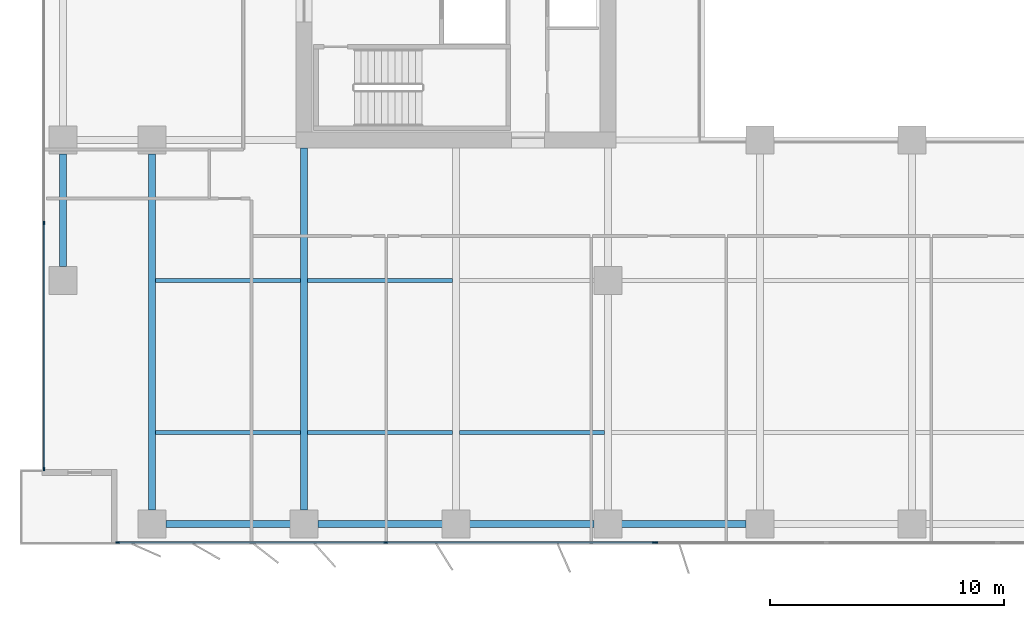
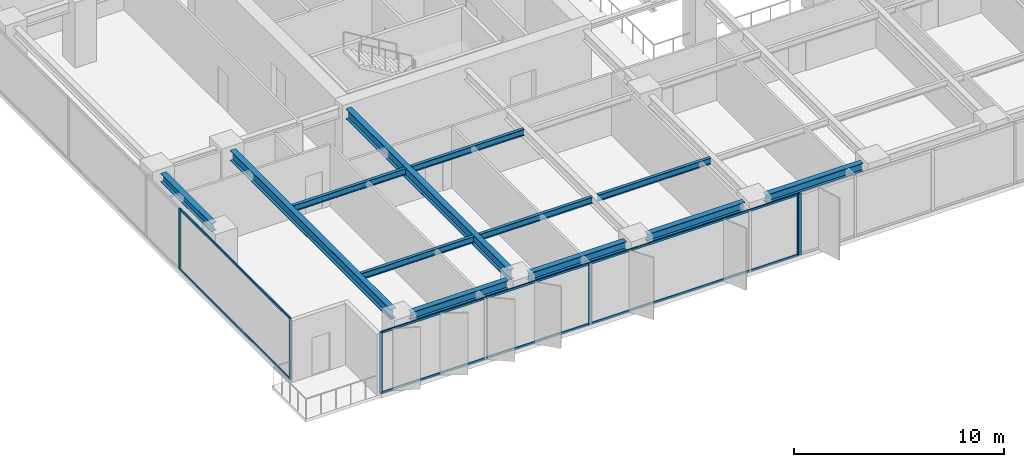
# One storey, part 2 of 20: 12 beams, 12 members, 3 elements without a shape of their own.
"""IFC4 building model written with IfcOpenShell, lengths in metres."""

from ifc_helpers import new_model, si_unit, direction, frame, origin, origin_2d, place, context, subcontext, project, spatial, rectangle, i_section, extrude, material, layer, layer_set, material_profile, profile_set, type_object, element, aggregate, save


model = new_model("IFC4")

# Units and contexts
model_context = context("Model", 3, precision=1e-05, world=origin(), true_north=direction((0.0, 1.0)))
body_context = subcontext(model_context, "Body", "Model", "MODEL_VIEW")
ifc_project = project(units=[si_unit("LENGTHUNIT", "METRE"), si_unit("AREAUNIT", "SQUARE_METRE"), si_unit("VOLUMEUNIT", "CUBIC_METRE"), si_unit("PLANEANGLEUNIT", "RADIAN"), si_unit("MASSUNIT", "GRAM", prefix="KILO")], contexts=[model_context])

# Site, building, storey
site_placement = place(None, origin())
site = spatial("IfcSite", under=ifc_project, at=site_placement, CompositionType="ELEMENT")
building_placement = place(site_placement, origin())
building = spatial("IfcBuilding", under=site, at=building_placement, Name="Putna Gate Headquarters", CompositionType="ELEMENT")
storey_placement = place(building_placement, frame((0.0, 0.0, 93.60009765625)))
storey = spatial("IfcBuildingStorey", under=building, at=storey_placement, Name="L22", CompositionType="ELEMENT", Elevation=93.60009765625)

# Beams
ifc_material_1 = material(Name="Steel S355J2", Category="steel")
ifc_material_profile_1 = material_profile(ifc_material_1, i_section(OverallWidth=0.300048828125, OverallDepth=0.60009765625, WebThickness=0.015380859375, FlangeThickness=0.030029296875, at=origin_2d()), Name="Steel S355J2")
ifc_profile_set_1 = profile_set([ifc_material_profile_1], Name="Steel S355J2")
beam_type_1 = type_object("IfcBeamType", Name="BM-GIRD-Z2-HEB600", PredefinedType="USERDEFINED", material=ifc_profile_set_1)
beam_1_placement = place(storey_placement, frame((6.5, 3.16796875, 3.264892578125), z_axis=(0.0, 1.0, 0.0), x_axis=(-1.0, 0.0, 0.0)))
element("IfcBeam", 1, at=beam_1_placement, inside=storey, type_object=beam_type_1, Name="L22 South Primary Girder X6", ObjectType="GIRDER", PredefinedType="USERDEFINED", context=body_context, shape_type="SweptSolid", body=[
    extrude(i_section(OverallWidth=0.300048828125, OverallDepth=0.60009765625, WebThickness=0.015380859375, FlangeThickness=0.030029296875, at=origin_2d()), origin(), (0.0, 0.0, 1.0), 15.244140625),
])
beam_2_placement = place(storey_placement, frame((13.0, 3.16796875, 3.264892578125), z_axis=(0.0, 1.0, 0.0), x_axis=(-1.0, 0.0, 0.0)))
element("IfcBeam", 2, at=beam_2_placement, inside=storey, type_object=beam_type_1, Name="L22 South Primary Girder X13", ObjectType="GIRDER", PredefinedType="USERDEFINED", context=body_context, shape_type="SweptSolid", body=[
    extrude(i_section(OverallWidth=0.300048828125, OverallDepth=0.60009765625, WebThickness=0.015380859375, FlangeThickness=0.030029296875, at=origin_2d()), origin(), (0.0, 0.0, 1.0), 15.4970703125),
])
ifc_material_profile_2 = material_profile(ifc_material_1, i_section(OverallWidth=0.169921875, OverallDepth=0.360107421875, WebThickness=0.008056640625, FlangeThickness=0.0126953125, at=origin_2d()), Name="Steel S355J2")
ifc_profile_set_2 = profile_set([ifc_material_profile_2], Name="Steel S355J2")
beam_type_2 = type_object("IfcBeamType", Name="BM-SEC-Z2-IPE360", PredefinedType="BEAM", material=ifc_profile_set_2)
for number, where, z_axis, x_axis, name in (
    (3, (6.654052734375, 6.5, 3.385009765625), (1.0, 0.0, 0.0), (0.0, 1.0, 0.0), "L22 South Secondary Beam 1"),
    (4, (6.654052734375, 13.0, 3.385009765625), (1.0, 0.0, 0.0), (0.0, 1.0, 0.0), "L22 South Secondary Beam 1"),
    (5, (13.154052734375, 6.5, 3.385009765625), (1.0, 0.0, 0.0), (0.0, 1.0, 0.0), "L22 South Secondary Beam 2"),
    (6, (13.154052734375, 13.0, 3.385009765625), (1.0, 0.0, 0.0), (0.0, 1.0, 0.0), "L22 South Secondary Beam 2"),
    (7, (19.654052734375, 6.5, 3.385009765625), (1.0, 0.0, 0.0), (0.0, 1.0, 0.0), "L22 South Secondary Beam 3"),
):
    element("IfcBeam", number, at=place(storey_placement, frame(where, z_axis=z_axis, x_axis=x_axis)), inside=storey, type_object=beam_type_2, Name=name, PredefinedType="BEAM", context=body_context, shape_type="SweptSolid", body=[
        extrude(i_section(OverallWidth=0.169921875, OverallDepth=0.360107421875, WebThickness=0.008056640625, FlangeThickness=0.0126953125, at=origin_2d()), origin(), (0.0, 0.0, 1.0), 6.19189453125),
    ])
ifc_material_profile_3 = material_profile(ifc_material_1, i_section(OverallWidth=0.300048828125, OverallDepth=0.489990234375, WebThickness=0.011962890625, FlangeThickness=0.02294921875, at=origin_2d()), Name="Steel S355J2")
ifc_profile_set_3 = profile_set([ifc_material_profile_3], Name="Steel S355J2")
beam_type_3 = type_object("IfcBeamType", Name="BM-SPAN-Z2-HEA500", PredefinedType="SPANDREL", material=ifc_profile_set_3)
for number, where, z_axis, x_axis, name in (
    (8, (7.087890625, 2.580078125, 3.31982421875), (1.0, 0.0, 0.0), (0.0, 1.0, 0.0), "L22 S Perimeter Spandrel 1"),
    (9, (13.587890625, 2.580078125, 3.31982421875), (1.0, 0.0, 0.0), (0.0, 1.0, 0.0), "L22 S Perimeter Spandrel 2"),
    (10, (20.087890625, 2.580078125, 3.31982421875), (1.0, 0.0, 0.0), (0.0, 1.0, 0.0), "L22 S Perimeter Spandrel 3"),
    (11, (26.587890625, 2.580078125, 3.31982421875), (1.0, 0.0, 0.0), (0.0, 1.0, 0.0), "L22 S Perimeter Spandrel 4"),
):
    element("IfcBeam", number, at=place(storey_placement, frame(where, z_axis=z_axis, x_axis=x_axis)), inside=storey, type_object=beam_type_3, Name=name, PredefinedType="SPANDREL", context=body_context, shape_type="SweptSolid", body=[
        extrude(i_section(OverallWidth=0.300048828125, OverallDepth=0.489990234375, WebThickness=0.011962890625, FlangeThickness=0.02294921875, at=origin_2d()), origin(), (0.0, 0.0, 1.0), 5.32421875),
    ])
beam_3_placement = place(storey_placement, frame((2.679931640625, 13.587890625, 3.31982421875), z_axis=(0.0, 1.0, 0.0), x_axis=(-1.0, 0.0, 0.0)))
element("IfcBeam", 12, at=beam_3_placement, inside=storey, type_object=beam_type_3, Name="L22 W End Spandrel 1", PredefinedType="SPANDREL", context=body_context, shape_type="SweptSolid", body=[
    extrude(i_section(OverallWidth=0.300048828125, OverallDepth=0.489990234375, WebThickness=0.011962890625, FlangeThickness=0.02294921875, at=origin_2d()), origin(), (0.0, 0.0, 1.0), 4.82421875),
])

# Curtain wall, members
ifc_material_2 = material(Name="Anodised bronze aluminium curtain wall", Category="aluminium")
ifc_layer_1 = layer(ifc_material_2, 0.159912109375)
ifc_layer_set_1 = layer_set([ifc_layer_1], Name="Anodised bronze aluminium curtain wall")
curtain_wall_type_1 = type_object("IfcCurtainWallType", Name="CW-SYS-Z2", PredefinedType="USERDEFINED", material=ifc_layer_set_1)
curtain_wall_1_placement = place(storey_placement, origin())
curtain_wall_1 = element("IfcCurtainWall", 13, at=curtain_wall_1_placement, inside=storey, type_object=curtain_wall_type_1, Name="L22 South West Curtain Wall", ObjectType="STICK CURTAIN WALL", PredefinedType="USERDEFINED")
ifc_material_3 = material(Name="Anodised bronze aluminium EN AW-6060", Category="aluminium")
ifc_material_profile_4 = material_profile(ifc_material_3, rectangle(XDim=0.06494140625, YDim=0.159912109375, at=origin_2d()), Name="Anodised bronze aluminium EN AW-6060")
ifc_profile_set_4 = profile_set([ifc_material_profile_4], Name="Anodised bronze aluminium EN AW-6060")
member_type_1 = type_object("IfcMemberType", Name="MULL-CWM-2", PredefinedType="MULLION", material=ifc_profile_set_4)
member_1_placement = place(storey_placement, frame((5.032470703125, 1.780029296875, 0.0), z_axis=(0.0, 0.0, 1.0), x_axis=(0.0, 1.0, 0.0)))
member_1 = element("IfcMember", 14, at=member_1_placement, type_object=member_type_1, Name="CWS-2 mullion 1", PredefinedType="MULLION", context=body_context, shape_type="SweptSolid", body=[
    extrude(rectangle(XDim=0.06494140625, YDim=0.159912109375, at=origin_2d()), origin(), (0.0, 0.0, 1.0), 3.56494140625),
])
member_2_placement = place(storey_placement, frame((16.5, 1.780029296875, 0.0), z_axis=(0.0, 0.0, 1.0), x_axis=(0.0, 1.0, 0.0)))
member_2 = element("IfcMember", 15, at=member_2_placement, type_object=member_type_1, Name="CWS-2 mullion 2", PredefinedType="MULLION", context=body_context, shape_type="SweptSolid", body=[
    extrude(rectangle(XDim=0.06494140625, YDim=0.159912109375, at=origin_2d()), origin(), (0.0, 0.0, 1.0), 3.56494140625),
])
member_3_placement = place(storey_placement, frame((27.967529296875, 1.780029296875, 0.0), z_axis=(0.0, 0.0, 1.0), x_axis=(0.0, 1.0, 0.0)))
member_3 = element("IfcMember", 16, at=member_3_placement, type_object=member_type_1, Name="CWS-2 mullion 3", PredefinedType="MULLION", context=body_context, shape_type="SweptSolid", body=[
    extrude(rectangle(XDim=0.06494140625, YDim=0.159912109375, at=origin_2d()), origin(), (0.0, 0.0, 1.0), 3.56494140625),
])

curtain_wall_2_placement = place(storey_placement, origin())
curtain_wall_2 = element("IfcCurtainWall", 17, at=curtain_wall_2_placement, inside=storey, type_object=curtain_wall_type_1, Name="L22 West Curtain Wall", ObjectType="STICK CURTAIN WALL", PredefinedType="USERDEFINED")
member_4_placement = place(storey_placement, frame((1.8798828125, 4.9326171875, 0.0), z_axis=(0.0, 0.0, 1.0), x_axis=(-1.0, 0.0, 0.0)))
member_4 = element("IfcMember", 18, at=member_4_placement, type_object=member_type_1, Name="CWS-2 mullion 1", PredefinedType="MULLION", context=body_context, shape_type="SweptSolid", body=[
    extrude(rectangle(XDim=0.06494140625, YDim=0.159912109375, at=origin_2d()), origin(), (0.0, 0.0, 1.0), 3.56494140625),
])
member_5_placement = place(storey_placement, frame((1.8798828125, 15.449951171875, 0.0), z_axis=(0.0, 0.0, 1.0), x_axis=(-1.0, 0.0, 0.0)))
member_5 = element("IfcMember", 19, at=member_5_placement, type_object=member_type_1, Name="CWS-2 mullion 2", PredefinedType="MULLION", context=body_context, shape_type="SweptSolid", body=[
    extrude(rectangle(XDim=0.06494140625, YDim=0.159912109375, at=origin_2d()), origin(), (0.0, 0.0, 1.0), 3.56494140625),
])

# Curtain wall, member
ifc_layer_2 = layer(ifc_material_2, 0.179931640625)
ifc_layer_set_2 = layer_set([ifc_layer_2], Name="Anodised bronze aluminium curtain wall")
curtain_wall_type_2 = type_object("IfcCurtainWallType", Name="CW-SYS-ATR", PredefinedType="USERDEFINED", material=ifc_layer_set_2)
curtain_wall_3_placement = place(storey_placement, origin())
curtain_wall_3 = element("IfcCurtainWall", 20, at=curtain_wall_3_placement, inside=storey, type_object=curtain_wall_type_2, Name="L22 South Atrium Clear Glazing", ObjectType="ATRIUM GLAZING", PredefinedType="USERDEFINED")
ifc_material_profile_5 = material_profile(ifc_material_3, rectangle(XDim=0.070068359375, YDim=0.179931640625, at=origin_2d()), Name="Anodised bronze aluminium EN AW-6060")
ifc_profile_set_5 = profile_set([ifc_material_profile_5], Name="Anodised bronze aluminium EN AW-6060")
member_type_2 = type_object("IfcMemberType", Name="MULL-CWM-AT", PredefinedType="MULLION", material=ifc_profile_set_5)
member_6_placement = place(storey_placement, frame((28.034912109375, 1.780029296875, 0.0), z_axis=(0.0, 0.0, 1.0), x_axis=(0.0, 1.0, 0.0)))
member_6 = element("IfcMember", 21, at=member_6_placement, type_object=member_type_2, Name="CWS-AT mullion 1", PredefinedType="MULLION", context=body_context, shape_type="SweptSolid", body=[
    extrude(rectangle(XDim=0.070068359375, YDim=0.179931640625, at=origin_2d()), origin(), (0.0, 0.0, 1.0), 3.56494140625),
])
aggregate(curtain_wall_3, [member_6])

# Member
ifc_material_profile_6 = material_profile(ifc_material_3, rectangle(XDim=0.06494140625, YDim=0.1201171875, at=origin_2d()), Name="Anodised bronze aluminium EN AW-6060")
ifc_profile_set_6 = profile_set([ifc_material_profile_6], Name="Anodised bronze aluminium EN AW-6060")
member_type_3 = type_object("IfcMemberType", Name="TRAN-CWT-2", PredefinedType="USERDEFINED", material=ifc_profile_set_6)
member_7_placement = place(storey_placement, frame((5.06494140625, 1.780029296875, 0.032470703125), z_axis=(1.0, 0.0, 0.0), x_axis=(0.0, 1.0, 0.0)))
member_7 = element("IfcMember", 22, at=member_7_placement, type_object=member_type_3, Name="CWS-2 transom 1.1", ObjectType="TRANSOM", PredefinedType="USERDEFINED", context=body_context, shape_type="SweptSolid", body=[
    extrude(rectangle(XDim=0.06494140625, YDim=0.1201171875, at=origin_2d()), origin(), (0.0, 0.0, 1.0), 11.402587890625),
])

member_8_placement = place(storey_placement, frame((5.06494140625, 1.780029296875, 3.532470703125), z_axis=(1.0, 0.0, 0.0), x_axis=(0.0, 1.0, 0.0)))
member_8 = element("IfcMember", 23, at=member_8_placement, type_object=member_type_3, Name="CWS-2 transom 1.2", ObjectType="TRANSOM", PredefinedType="USERDEFINED", context=body_context, shape_type="SweptSolid", body=[
    extrude(rectangle(XDim=0.06494140625, YDim=0.1201171875, at=origin_2d()), origin(), (0.0, 0.0, 1.0), 11.402587890625),
])

member_9_placement = place(storey_placement, frame((16.532470703125, 1.780029296875, 0.032470703125), z_axis=(1.0, 0.0, 0.0), x_axis=(0.0, 1.0, 0.0)))
member_9 = element("IfcMember", 24, at=member_9_placement, type_object=member_type_3, Name="CWS-2 transom 2.1", ObjectType="TRANSOM", PredefinedType="USERDEFINED", context=body_context, shape_type="SweptSolid", body=[
    extrude(rectangle(XDim=0.06494140625, YDim=0.1201171875, at=origin_2d()), origin(), (0.0, 0.0, 1.0), 11.402587890625),
])

member_10_placement = place(storey_placement, frame((16.532470703125, 1.780029296875, 3.532470703125), z_axis=(1.0, 0.0, 0.0), x_axis=(0.0, 1.0, 0.0)))
member_10 = element("IfcMember", 25, at=member_10_placement, type_object=member_type_3, Name="CWS-2 transom 2.2", ObjectType="TRANSOM", PredefinedType="USERDEFINED", context=body_context, shape_type="SweptSolid", body=[
    extrude(rectangle(XDim=0.06494140625, YDim=0.1201171875, at=origin_2d()), origin(), (0.0, 0.0, 1.0), 11.402587890625),
])

aggregate(curtain_wall_1, [member_1, member_2, member_3, member_7, member_8, member_9, member_10])

member_11_placement = place(storey_placement, frame((1.8798828125, 4.965087890625, 0.032470703125), z_axis=(0.0, 1.0, 0.0), x_axis=(-1.0, 0.0, 0.0)))
member_11 = element("IfcMember", 26, at=member_11_placement, type_object=member_type_3, Name="CWS-2 transom 1.1", ObjectType="TRANSOM", PredefinedType="USERDEFINED", context=body_context, shape_type="SweptSolid", body=[
    extrude(rectangle(XDim=0.06494140625, YDim=0.1201171875, at=origin_2d()), origin(), (0.0, 0.0, 1.0), 10.452392578125),
])

member_12_placement = place(storey_placement, frame((1.8798828125, 4.965087890625, 3.532470703125), z_axis=(0.0, 1.0, 0.0), x_axis=(-1.0, 0.0, 0.0)))
member_12 = element("IfcMember", 27, at=member_12_placement, type_object=member_type_3, Name="CWS-2 transom 1.2", ObjectType="TRANSOM", PredefinedType="USERDEFINED", context=body_context, shape_type="SweptSolid", body=[
    extrude(rectangle(XDim=0.06494140625, YDim=0.1201171875, at=origin_2d()), origin(), (0.0, 0.0, 1.0), 10.452392578125),
])

aggregate(curtain_wall_2, [member_4, member_5, member_11, member_12])

save(model, "model.ifc")
